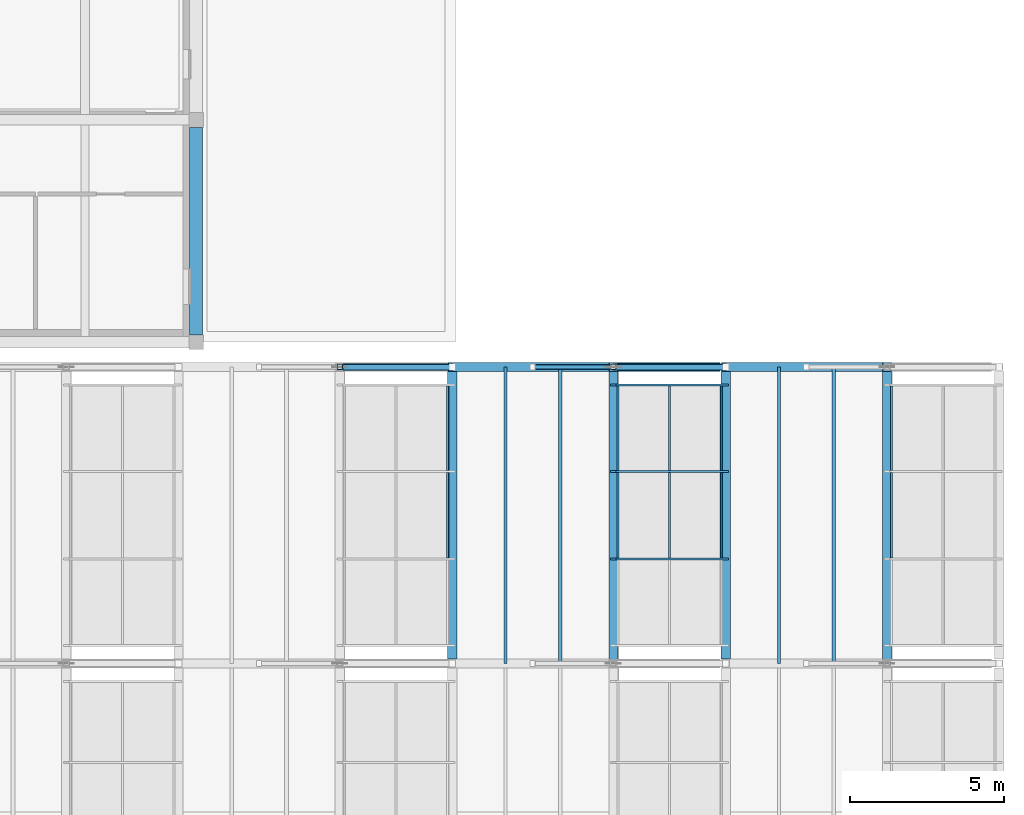
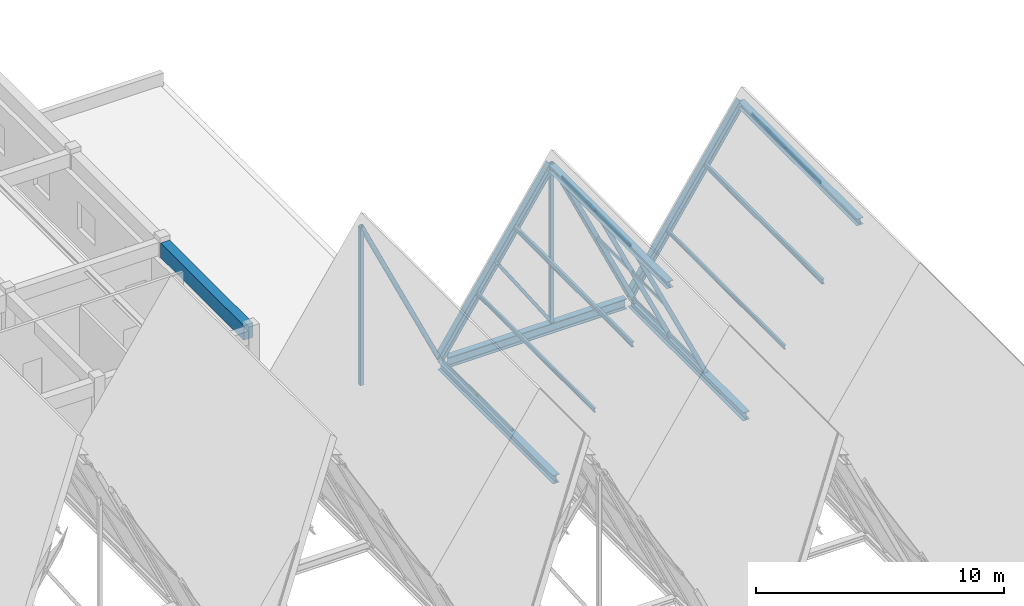
# One storey, part 61 of 99: 24 members, 6 beams, 3 elements without a shape of their own.
"""IFC4 building model written with IfcOpenShell, lengths in metres."""

from ifc_helpers import new_model, si_unit, direction, frame, origin, origin_2d, place, context, subcontext, project, spatial, rectangle, hollow_rectangle, hollow_circle, i_section, extrude, material, material_profile, profile_set, type_object, element, aggregate, save


model = new_model("IFC4")

# Units and contexts
model_context = context("Model", 3, precision=1e-05, world=origin(), true_north=direction((0.0, 1.0)))
body_context = subcontext(model_context, "Body", "Model", "MODEL_VIEW")
ifc_project = project(units=[si_unit("LENGTHUNIT", "METRE"), si_unit("AREAUNIT", "SQUARE_METRE"), si_unit("VOLUMEUNIT", "CUBIC_METRE"), si_unit("PLANEANGLEUNIT", "RADIAN"), si_unit("MASSUNIT", "GRAM", prefix="KILO")], contexts=[model_context])

# Site, building, storey
site_placement = place(None, origin())
site = spatial("IfcSite", under=ifc_project, at=site_placement, CompositionType="ELEMENT")
building_placement = place(site_placement, origin())
building = spatial("IfcBuilding", under=site, at=building_placement, Name="Bramveld Media Centre", CompositionType="ELEMENT")
storey_placement = place(building_placement, frame((0.0, 0.0, 13.800048828125)))
storey = spatial("IfcBuildingStorey", under=building, at=storey_placement, Name="L03", CompositionType="ELEMENT", Elevation=13.800048828125)

# Curtain wall, members
ifc_material_1 = material(Name="Thermally broken anodized bronze aluminium unitized curtain wall with solar-control triple glazing", Category="aluminium")
curtain_wall_type = type_object("IfcCurtainWallType", Name="CW-SAW-8500x8606", PredefinedType="NOTDEFINED", material=ifc_material_1)
curtain_wall_1_placement = place(storey_placement, origin())
curtain_wall_1 = element("IfcCurtainWall", 1, at=curtain_wall_1_placement, inside=storey, type_object=curtain_wall_type, Name="V1 sawtooth north-light clerestory B6-S3", PredefinedType="NOTDEFINED")
ifc_material_2 = material(Name="Thermally broken anodized bronze aluminium EN AW-6063 T6 curtain-wall framing", Category="aluminium")
ifc_material_profile_1 = material_profile(ifc_material_2, hollow_rectangle(XDim=0.070068359375, YDim=0.199951171875, WallThickness=0.00439453125, InnerFilletRadius=0.00439453125, OuterFilletRadius=0.009033203125, at=origin_2d()), Name="AL-MULL 70x200")
ifc_profile_set_1 = profile_set([ifc_material_profile_1], Name="Thermally broken anodized bronze aluminium EN AW-6063 T6 curtain-wall framing")
member_type_1 = type_object("IfcMemberType", Name="CW-MULL-SLP", PredefinedType="MULLION", material=ifc_profile_set_1)
member_1_placement = place(storey_placement, frame((177.142822265625, 32.183349609375, -0.02001953125), z_axis=(-0.423956992265, 0.0, 0.90568232218), x_axis=(0.0, -1.0, 0.0)))
member_1 = element("IfcMember", 2, at=member_1_placement, type_object=member_type_1, Name="CW-SA-8586 sloped mullion 2", PredefinedType="MULLION", context=body_context, shape_type="SweptSolid", body=[
    extrude(hollow_rectangle(XDim=0.070068359375, YDim=0.199951171875, WallThickness=0.00439453125, InnerFilletRadius=0.00439453125, OuterFilletRadius=0.009033203125, at=origin_2d()), origin(), (0.0, 0.0, 1.0), 8.5791015625),
])
member_2_placement = place(storey_placement, frame((177.142822265625, 35.0166015625, -0.02001953125), z_axis=(-0.423956992265, 0.0, 0.90568232218), x_axis=(0.0, -1.0, 0.0)))
member_2 = element("IfcMember", 3, at=member_2_placement, type_object=member_type_1, Name="CW-SA-8586 sloped mullion 3", PredefinedType="MULLION", context=body_context, shape_type="SweptSolid", body=[
    extrude(hollow_rectangle(XDim=0.070068359375, YDim=0.199951171875, WallThickness=0.00439453125, InnerFilletRadius=0.00439453125, OuterFilletRadius=0.009033203125, at=origin_2d()), origin(), (0.0, 0.0, 1.0), 8.5791015625),
])
member_3_placement = place(storey_placement, frame((177.142822265625, 37.81494140625, -0.02001953125), z_axis=(-0.423956992265, 0.0, 0.90568232218), x_axis=(0.0, -1.0, 0.0)))
member_3 = element("IfcMember", 4, at=member_3_placement, type_object=member_type_1, Name="CW-SA-8586 sloped mullion 4", PredefinedType="MULLION", context=body_context, shape_type="SweptSolid", body=[
    extrude(hollow_rectangle(XDim=0.070068359375, YDim=0.199951171875, WallThickness=0.00439453125, InnerFilletRadius=0.00439453125, OuterFilletRadius=0.009033203125, at=origin_2d()), origin(), (0.0, 0.0, 1.0), 8.5791015625),
])

curtain_wall_2_placement = place(storey_placement, origin())
curtain_wall_2 = element("IfcCurtainWall", 5, at=curtain_wall_2_placement, inside=storey, type_object=curtain_wall_type, Name="V1 sawtooth north-light clerestory B5-S3", PredefinedType="NOTDEFINED")
ifc_material_3 = material(Name="Thermally broken anodized bronze aluminium EN AW-6063 T6 curtain-wall framing", Category="aluminium")
ifc_material_profile_2 = material_profile(ifc_material_3, hollow_rectangle(XDim=0.070068359375, YDim=0.14990234375, WallThickness=0.00390625, InnerFilletRadius=0.00390625, OuterFilletRadius=0.008056640625, at=origin_2d()), Name="AL-TRAN 70x150")
ifc_profile_set_2 = profile_set([ifc_material_profile_2], Name="Thermally broken anodized bronze aluminium EN AW-6063 T6 curtain-wall framing")
member_type_2 = type_object("IfcMemberType", Name="CW-TRAN-SLP", PredefinedType="USERDEFINED", material=ifc_profile_set_2)
member_4_placement = place(storey_placement, frame((168.14013671875, 32.21826171875, 0.290771484375), z_axis=(0.0, 1.0, 0.0), x_axis=(-1.0, 0.0, 0.0)))
member_4 = element("IfcMember", 6, at=member_4_placement, type_object=member_type_2, Name="CW-SA-8586 transom 2.1", ObjectType="TRANSOM", PredefinedType="USERDEFINED", context=body_context, shape_type="SweptSolid", body=[
    extrude(hollow_rectangle(XDim=0.070068359375, YDim=0.14990234375, WallThickness=0.00390625, InnerFilletRadius=0.00390625, OuterFilletRadius=0.008056640625, at=origin_2d()), origin(), (0.0, 0.0, 1.0), 2.763427734375),
])
member_5_placement = place(storey_placement, frame((168.14013671875, 35.0517578125, 0.290771484375), z_axis=(0.0, 1.0, 0.0), x_axis=(-1.0, 0.0, 0.0)))
member_5 = element("IfcMember", 7, at=member_5_placement, type_object=member_type_2, Name="CW-SA-8586 transom 3.1", ObjectType="TRANSOM", PredefinedType="USERDEFINED", context=body_context, shape_type="SweptSolid", body=[
    extrude(hollow_rectangle(XDim=0.070068359375, YDim=0.14990234375, WallThickness=0.00390625, InnerFilletRadius=0.00390625, OuterFilletRadius=0.008056640625, at=origin_2d()), origin(), (0.0, 0.0, 1.0), 2.728271484375),
])
aggregate(curtain_wall_2, [member_4, member_5])

# Member
member_6_placement = place(storey_placement, frame((176.997314453125, 32.21826171875, 0.290771484375), z_axis=(0.0, 1.0, 0.0), x_axis=(-1.0, 0.0, 0.0)))
member_6 = element("IfcMember", 8, at=member_6_placement, type_object=member_type_2, Name="CW-SA-8586 transom 2.1", ObjectType="TRANSOM", PredefinedType="USERDEFINED", context=body_context, shape_type="SweptSolid", body=[
    extrude(hollow_rectangle(XDim=0.070068359375, YDim=0.14990234375, WallThickness=0.00390625, InnerFilletRadius=0.00390625, OuterFilletRadius=0.008056640625, at=origin_2d()), origin(), (0.0, 0.0, 1.0), 2.763427734375),
])

member_7_placement = place(storey_placement, frame((175.32421875, 32.21826171875, 3.864990234375), z_axis=(0.0, 1.0, 0.0), x_axis=(-1.0, 0.0, 0.0)))
member_7 = element("IfcMember", 9, at=member_7_placement, type_object=member_type_2, Name="CW-SA-8586 transom 2.2", ObjectType="TRANSOM", PredefinedType="USERDEFINED", context=body_context, shape_type="SweptSolid", body=[
    extrude(hollow_rectangle(XDim=0.070068359375, YDim=0.14990234375, WallThickness=0.00390625, InnerFilletRadius=0.00390625, OuterFilletRadius=0.008056640625, at=origin_2d()), origin(), (0.0, 0.0, 1.0), 2.763427734375),
])

member_8_placement = place(storey_placement, frame((173.651123046875, 32.21826171875, 7.439208984375), z_axis=(0.0, 1.0, 0.0), x_axis=(-1.0, 0.0, 0.0)))
member_8 = element("IfcMember", 10, at=member_8_placement, type_object=member_type_2, Name="CW-SA-8586 transom 2.3", ObjectType="TRANSOM", PredefinedType="USERDEFINED", context=body_context, shape_type="SweptSolid", body=[
    extrude(hollow_rectangle(XDim=0.070068359375, YDim=0.14990234375, WallThickness=0.00390625, InnerFilletRadius=0.00390625, OuterFilletRadius=0.008056640625, at=origin_2d()), origin(), (0.0, 0.0, 1.0), 2.763427734375),
])

member_9_placement = place(storey_placement, frame((176.997314453125, 35.0517578125, 0.290771484375), z_axis=(0.0, 1.0, 0.0), x_axis=(-1.0, 0.0, 0.0)))
member_9 = element("IfcMember", 11, at=member_9_placement, type_object=member_type_2, Name="CW-SA-8586 transom 3.1", ObjectType="TRANSOM", PredefinedType="USERDEFINED", context=body_context, shape_type="SweptSolid", body=[
    extrude(hollow_rectangle(XDim=0.070068359375, YDim=0.14990234375, WallThickness=0.00390625, InnerFilletRadius=0.00390625, OuterFilletRadius=0.008056640625, at=origin_2d()), origin(), (0.0, 0.0, 1.0), 2.728271484375),
])

member_10_placement = place(storey_placement, frame((175.32421875, 35.0517578125, 3.864990234375), z_axis=(0.0, 1.0, 0.0), x_axis=(-1.0, 0.0, 0.0)))
member_10 = element("IfcMember", 12, at=member_10_placement, type_object=member_type_2, Name="CW-SA-8586 transom 3.2", ObjectType="TRANSOM", PredefinedType="USERDEFINED", context=body_context, shape_type="SweptSolid", body=[
    extrude(hollow_rectangle(XDim=0.070068359375, YDim=0.14990234375, WallThickness=0.00390625, InnerFilletRadius=0.00390625, OuterFilletRadius=0.008056640625, at=origin_2d()), origin(), (0.0, 0.0, 1.0), 2.728271484375),
])

member_11_placement = place(storey_placement, frame((173.651123046875, 35.0517578125, 7.439208984375), z_axis=(0.0, 1.0, 0.0), x_axis=(-1.0, 0.0, 0.0)))
member_11 = element("IfcMember", 13, at=member_11_placement, type_object=member_type_2, Name="CW-SA-8586 transom 3.3", ObjectType="TRANSOM", PredefinedType="USERDEFINED", context=body_context, shape_type="SweptSolid", body=[
    extrude(hollow_rectangle(XDim=0.070068359375, YDim=0.14990234375, WallThickness=0.00390625, InnerFilletRadius=0.00390625, OuterFilletRadius=0.008056640625, at=origin_2d()), origin(), (0.0, 0.0, 1.0), 2.728271484375),
])

aggregate(curtain_wall_1, [member_1, member_2, member_3, member_6, member_7, member_8, member_9, member_10, member_11])

# Curtain wall, members
curtain_wall_3_placement = place(storey_placement, origin())
curtain_wall_3 = element("IfcCurtainWall", 14, at=curtain_wall_3_placement, inside=storey, type_object=curtain_wall_type, Name="V1 sawtooth north-light clerestory B7-S3", PredefinedType="NOTDEFINED")
member_12_placement = place(storey_placement, frame((182.50830078125, 32.21826171875, 7.439208984375), z_axis=(0.0, 1.0, 0.0), x_axis=(-1.0, 0.0, 0.0)))
member_12 = element("IfcMember", 15, at=member_12_placement, type_object=member_type_2, Name="CW-SA-8586 transom 2.3", ObjectType="TRANSOM", PredefinedType="USERDEFINED", context=body_context, shape_type="SweptSolid", body=[
    extrude(hollow_rectangle(XDim=0.070068359375, YDim=0.14990234375, WallThickness=0.00390625, InnerFilletRadius=0.00390625, OuterFilletRadius=0.008056640625, at=origin_2d()), origin(), (0.0, 0.0, 1.0), 2.763427734375),
])
member_13_placement = place(storey_placement, frame((182.50830078125, 35.0517578125, 7.439208984375), z_axis=(0.0, 1.0, 0.0), x_axis=(-1.0, 0.0, 0.0)))
member_13 = element("IfcMember", 16, at=member_13_placement, type_object=member_type_2, Name="CW-SA-8586 transom 3.3", ObjectType="TRANSOM", PredefinedType="USERDEFINED", context=body_context, shape_type="SweptSolid", body=[
    extrude(hollow_rectangle(XDim=0.070068359375, YDim=0.14990234375, WallThickness=0.00390625, InnerFilletRadius=0.00390625, OuterFilletRadius=0.008056640625, at=origin_2d()), origin(), (0.0, 0.0, 1.0), 2.728271484375),
])
aggregate(curtain_wall_3, [member_12, member_13])

# Members
ifc_material_4 = material(Name="Steel S355J2H", Category="steel")
ifc_material_profile_3 = material_profile(ifc_material_4, hollow_circle(Radius=0.109619140625, WallThickness=0.012451171875, at=origin_2d()), Name="CHS 219.1x12.5")
ifc_profile_set_3 = profile_set([ifc_material_profile_3], Name="Steel S355J2H")
member_type_3 = type_object("IfcMemberType", Name="MEM-BRACE-CHS219", PredefinedType="BRACE", material=ifc_profile_set_3)
for number, where, z_axis, x_axis, name in (
    (17, (168.28564453125, 38.39990234375, 0.0), (-0.422616785161, 0.0, 0.906308475575), (0.0, -1.0, 0.0), "TRUSS-V1-B05-F5 north-light strut"),
    (18, (177.142822265625, 38.39990234375, 0.0), (-0.422616785161, 0.0, 0.906308475575), (0.0, -1.0, 0.0), "TRUSS-V1-B06-F5 north-light strut"),
):
    element("IfcMember", number, at=place(storey_placement, frame(where, z_axis=z_axis, x_axis=x_axis)), inside=storey, type_object=member_type_3, Name=name, PredefinedType="BRACE", context=body_context, shape_type="SweptSolid", body=[
        extrude(hollow_circle(Radius=0.109619140625, WallThickness=0.012451171875, at=origin_2d()), origin(), (0.0, 0.0, 1.0), 8.6064453125),
    ])
ifc_material_5 = material(Name="Steel S355J2H", Category="steel")
ifc_material_profile_4 = material_profile(ifc_material_5, hollow_rectangle(XDim=0.14990234375, YDim=0.14990234375, WallThickness=0.010009765625, InnerFilletRadius=0.010009765625, OuterFilletRadius=0.02001953125, at=origin_2d()), Name="SHS 150x150x10")
ifc_profile_set_4 = profile_set([ifc_material_profile_4], Name="Steel S355J2H")
member_type_4 = type_object("IfcMemberType", Name="MEM-BRACE-SHS150", PredefinedType="BRACE", material=ifc_profile_set_4)
member_14_placement = place(storey_placement, frame((173.505615234375, 38.39990234375, 0.0), z_axis=(-0.556200017124, 0.0, 0.831048458847), x_axis=(0.0, -1.0, 0.0)))
element("IfcMember", 19, at=member_14_placement, inside=storey, type_object=member_type_4, Name="TRUSS-V1-B06-F5 web diagonal", PredefinedType="BRACE", context=body_context, shape_type="SweptSolid", body=[
    extrude(hollow_rectangle(XDim=0.14990234375, YDim=0.14990234375, WallThickness=0.010009765625, InnerFilletRadius=0.010009765625, OuterFilletRadius=0.02001953125, at=origin_2d()), origin(), (0.0, 0.0, 1.0), 4.69287109375),
])
ifc_material_6 = material(Name="Steel S355J2", Category="steel")
ifc_material_profile_5 = material_profile(ifc_material_6, i_section(OverallWidth=0.300048828125, OverallDepth=0.340087890625, WebThickness=0.011962890625, FlangeThickness=0.021484375, FilletRadius=0.027099609375, at=origin_2d()), Name="HEB 340")
ifc_profile_set_5 = profile_set([ifc_material_profile_5], Name="Steel S355J2")
member_type_5 = type_object("IfcMemberType", Name="MEM-CHORD-HEB340", PredefinedType="CHORD", material=ifc_profile_set_5)
for number, where, z_axis, x_axis, name in (
    (20, (168.28564453125, 38.39990234375, 0.0), (0.556170027887, 0.0, 0.831068529112), (0.0, 1.0, 0.0), "TRUSS-V1-B06-F5 top rafter chord"),
    (21, (177.142822265625, 38.39990234375, 0.0), (0.556170027887, 0.0, 0.831068529112), (0.0, 1.0, 0.0), "TRUSS-V1-B07-F5 top rafter chord"),
):
    element("IfcMember", number, at=place(storey_placement, frame(where, z_axis=z_axis, x_axis=x_axis)), inside=storey, type_object=member_type_5, Name=name, PredefinedType="CHORD", context=body_context, shape_type="SweptSolid", body=[
        extrude(i_section(OverallWidth=0.300048828125, OverallDepth=0.340087890625, WebThickness=0.011962890625, FlangeThickness=0.021484375, FilletRadius=0.027099609375, at=origin_2d()), origin(), (0.0, 0.0, 1.0), 9.385498046875),
    ])
ifc_material_7 = material(Name="Steel S355J2H", Category="steel")
ifc_material_profile_6 = material_profile(ifc_material_7, hollow_rectangle(XDim=0.179931640625, YDim=0.179931640625, WallThickness=0.010009765625, InnerFilletRadius=0.010009765625, OuterFilletRadius=0.02001953125, at=origin_2d()), Name="SHS 180x180x10")
ifc_profile_set_6 = profile_set([ifc_material_profile_6], Name="Steel S355J2H")
member_type_6 = type_object("IfcMemberType", Name="MEM-POST-SHS180", PredefinedType="POST", material=ifc_profile_set_6)
for number, where, z_axis, x_axis, name in (
    (22, (164.6484375, 38.39990234375, 0.0), (0.0, 0.0, 1.0), (1.0, 0.0, 0.0), "TRUSS-V1-B05-F5 kingpost"),
    (23, (173.505615234375, 38.39990234375, 0.0), (0.0, 0.0, 1.0), (1.0, 0.0, 0.0), "TRUSS-V1-B06-F5 kingpost"),
):
    element("IfcMember", number, at=place(storey_placement, frame(where, z_axis=z_axis, x_axis=x_axis)), inside=storey, type_object=member_type_6, Name=name, PredefinedType="POST", context=body_context, shape_type="SweptSolid", body=[
        extrude(hollow_rectangle(XDim=0.179931640625, YDim=0.179931640625, WallThickness=0.010009765625, InnerFilletRadius=0.010009765625, OuterFilletRadius=0.02001953125, at=origin_2d()), origin(), (0.0, 0.0, 1.0), 7.800048828125),
    ])
ifc_material_8 = material(Name="Steel S355J2", Category="steel")
ifc_material_profile_7 = material_profile(ifc_material_8, i_section(OverallWidth=0.10009765625, OverallDepth=0.199951171875, WebThickness=0.005615234375, FlangeThickness=0.008544921875, FilletRadius=0.011962890625, at=origin_2d()), Name="IPE 200")
ifc_profile_set_7 = profile_set([ifc_material_profile_7], Name="Steel S355J2")
member_type_7 = type_object("IfcMemberType", Name="MEM-PURLIN-IPE200", PredefinedType="PURLIN", material=ifc_profile_set_7)
for number, where, z_axis, x_axis, name in (
    (24, (170.00830078125, 28.800048828125, 2.666259765625), (0.0, 1.0, 0.0), (-1.0, 0.0, 0.0), "V1 roof purlin"),
    (25, (178.865478515625, 28.800048828125, 2.666259765625), (0.0, 1.0, 0.0), (-1.0, 0.0, 0.0), "V1 roof purlin"),
):
    element("IfcMember", number, at=place(storey_placement, frame(where, z_axis=z_axis, x_axis=x_axis)), inside=storey, type_object=member_type_7, Name=name, PredefinedType="PURLIN", context=body_context, shape_type="SweptSolid", body=[
        extrude(i_section(OverallWidth=0.10009765625, OverallDepth=0.199951171875, WebThickness=0.005615234375, FlangeThickness=0.008544921875, FilletRadius=0.011962890625, at=origin_2d()), origin(), (0.0, 0.0, 1.0), 9.599853515625),
    ])
ifc_material_9 = material(Name="Steel S355J2", Category="steel")
ifc_material_profile_8 = material_profile(ifc_material_9, i_section(OverallWidth=0.1201171875, OverallDepth=0.239990234375, WebThickness=0.006103515625, FlangeThickness=0.009765625, FilletRadius=0.014892578125, at=origin_2d()), Name="IPE 240")
ifc_profile_set_8 = profile_set([ifc_material_profile_8], Name="Steel S355J2")
member_type_8 = type_object("IfcMemberType", Name="MEM-PURLIN-IPE240", PredefinedType="PURLIN", material=ifc_profile_set_8)
for number, where, z_axis, x_axis, name in (
    (26, (171.782958984375, 28.800048828125, 5.283447265625), (0.0, 1.0, 0.0), (-1.0, 0.0, 0.0), "V1 roof purlin"),
    (27, (180.64013671875, 28.800048828125, 5.283447265625), (0.0, 1.0, 0.0), (-1.0, 0.0, 0.0), "V1 roof purlin"),
):
    element("IfcMember", number, at=place(storey_placement, frame(where, z_axis=z_axis, x_axis=x_axis)), inside=storey, type_object=member_type_8, Name=name, PredefinedType="PURLIN", context=body_context, shape_type="SweptSolid", body=[
        extrude(i_section(OverallWidth=0.1201171875, OverallDepth=0.239990234375, WebThickness=0.006103515625, FlangeThickness=0.009765625, FilletRadius=0.014892578125, at=origin_2d()), origin(), (0.0, 0.0, 1.0), 9.599853515625),
    ])

# Beams
ifc_material_10 = material(Name="Steel S355J2", Category="steel")
ifc_material_profile_9 = material_profile(ifc_material_10, i_section(OverallWidth=0.300048828125, OverallDepth=0.5, WebThickness=0.014404296875, FlangeThickness=0.028076171875, FilletRadius=0.027099609375, at=origin_2d()), Name="HEB 500")
ifc_profile_set_9 = profile_set([ifc_material_profile_9], Name="Steel S355J2")
beam_type_1 = type_object("IfcBeamType", Name="SBM-EXT-HEB-500", PredefinedType="BEAM", material=ifc_profile_set_9)
beam_1_placement = place(storey_placement, frame((168.64990234375, 38.39990234375, -0.25), z_axis=(1.0, 0.0, 0.0), x_axis=(0.0, 1.0, 0.0)))
element("IfcBeam", 28, at=beam_1_placement, inside=storey, type_object=beam_type_1, Name="V1 sawtooth tie girder", PredefinedType="BEAM", context=body_context, shape_type="SweptSolid", body=[
    extrude(i_section(OverallWidth=0.300048828125, OverallDepth=0.5, WebThickness=0.014404296875, FlangeThickness=0.028076171875, FilletRadius=0.027099609375, at=origin_2d()), origin(), (0.0, 0.0, 1.0), 8.300048828125),
])
ifc_material_11 = material(Name="Steel S355J2", Category="steel")
ifc_material_profile_10 = material_profile(ifc_material_11, i_section(OverallWidth=0.300048828125, OverallDepth=0.330078125, WebThickness=0.009521484375, FlangeThickness=0.0166015625, FilletRadius=0.027099609375, at=origin_2d()), Name="HEA 340")
ifc_profile_set_10 = profile_set([ifc_material_profile_10], Name="Steel S355J2")
beam_type_2 = type_object("IfcBeamType", Name="SBM-INT-HEA-340", PredefinedType="BEAM", material=ifc_profile_set_10)
for number, where, z_axis, x_axis, name in (
    (29, (173.505615234375, 28.800048828125, 7.635009765625), (0.0, 1.0, 0.0), (-1.0, 0.0, 0.0), "V1 ridge spine beam"),
    (30, (182.36279296875, 28.800048828125, 7.635009765625), (0.0, 1.0, 0.0), (-1.0, 0.0, 0.0), "V1 ridge spine beam"),
):
    element("IfcBeam", number, at=place(storey_placement, frame(where, z_axis=z_axis, x_axis=x_axis)), inside=storey, type_object=beam_type_2, Name=name, PredefinedType="BEAM", context=body_context, shape_type="SweptSolid", body=[
        extrude(i_section(OverallWidth=0.300048828125, OverallDepth=0.330078125, WebThickness=0.009521484375, FlangeThickness=0.0166015625, FilletRadius=0.027099609375, at=origin_2d()), origin(), (0.0, 0.0, 1.0), 9.599853515625),
    ])
ifc_material_12 = material(Name="Steel S355J2", Category="steel")
ifc_material_profile_11 = material_profile(ifc_material_12, i_section(OverallWidth=0.300048828125, OverallDepth=0.39990234375, WebThickness=0.013427734375, FlangeThickness=0.02392578125, FilletRadius=0.027099609375, at=origin_2d()), Name="HEB 400")
ifc_profile_set_11 = profile_set([ifc_material_profile_11], Name="Steel S355J2")
beam_type_3 = type_object("IfcBeamType", Name="SBM-INT-HEB-400", PredefinedType="BEAM", material=ifc_profile_set_11)
for number, where, z_axis, x_axis, name in (
    (31, (168.28564453125, 28.93994140625, -0.199951171875), (0.0, 1.0, 0.0), (-1.0, 0.0, 0.0), "V1 valley spine girder 5"),
    (32, (177.142822265625, 28.93994140625, -0.199951171875), (0.0, 1.0, 0.0), (-1.0, 0.0, 0.0), "V1 valley spine girder 6"),
):
    element("IfcBeam", number, at=place(storey_placement, frame(where, z_axis=z_axis, x_axis=x_axis)), inside=storey, type_object=beam_type_3, Name=name, PredefinedType="BEAM", context=body_context, shape_type="SweptSolid", body=[
        extrude(i_section(OverallWidth=0.300048828125, OverallDepth=0.39990234375, WebThickness=0.013427734375, FlangeThickness=0.02392578125, FilletRadius=0.027099609375, at=origin_2d()), origin(), (0.0, 0.0, 1.0), 9.320068359375),
    ])
ifc_material_13 = material(Name="Concrete C40/50", Category="concrete")
ifc_material_profile_12 = material_profile(ifc_material_13, rectangle(XDim=0.419921875, YDim=0.719970703125, at=origin_2d()), Name="RC 420x720")
ifc_profile_set_12 = profile_set([ifc_material_profile_12], Name="Concrete C40/50")
beam_type_4 = type_object("IfcBeamType", Name="SPANDREL-EXT-RC-420x720", PredefinedType="SPANDREL", material=ifc_profile_set_12)
beam_2_placement = place(storey_placement, frame((160.0, 39.43994140625, 3.599853515625), z_axis=(0.0, 1.0, 0.0), x_axis=(-1.0, 0.0, 0.0)))
element("IfcBeam", 33, at=beam_2_placement, inside=storey, type_object=beam_type_4, Name="V4 L03 girder Y-641", PredefinedType="SPANDREL", context=body_context, shape_type="SweptSolid", body=[
    extrude(rectangle(XDim=0.419921875, YDim=0.719970703125, at=origin_2d()), origin(), (0.0, 0.0, 1.0), 6.719970703125),
])

save(model, "model.ifc")
